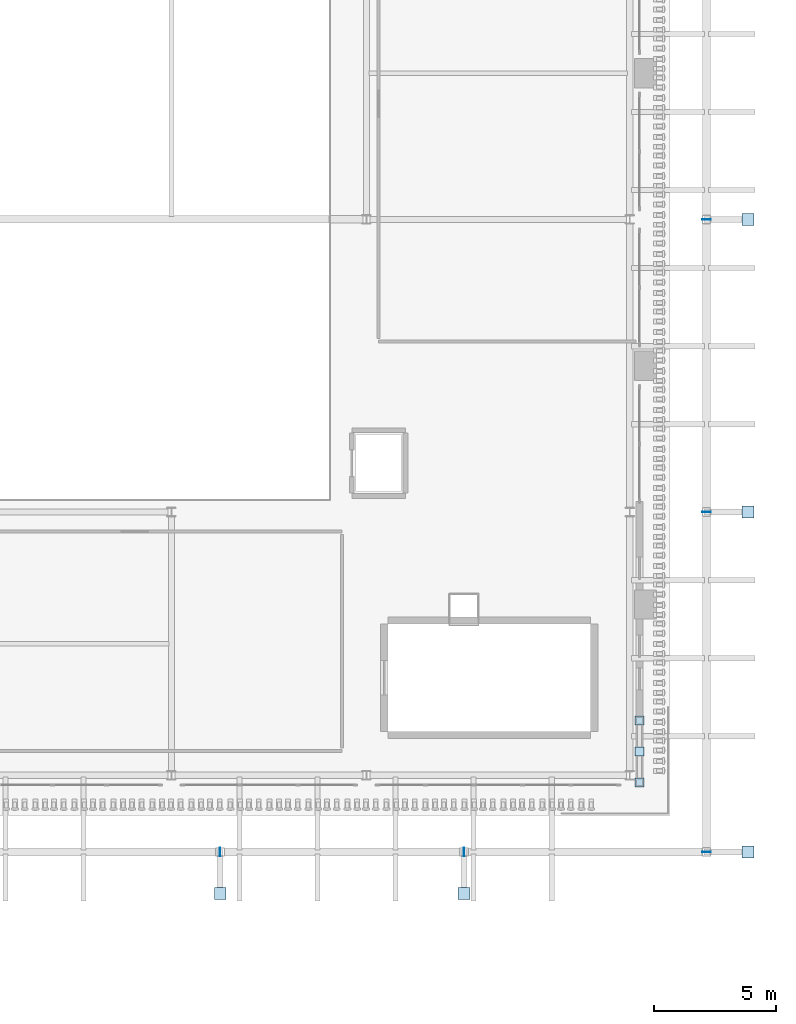
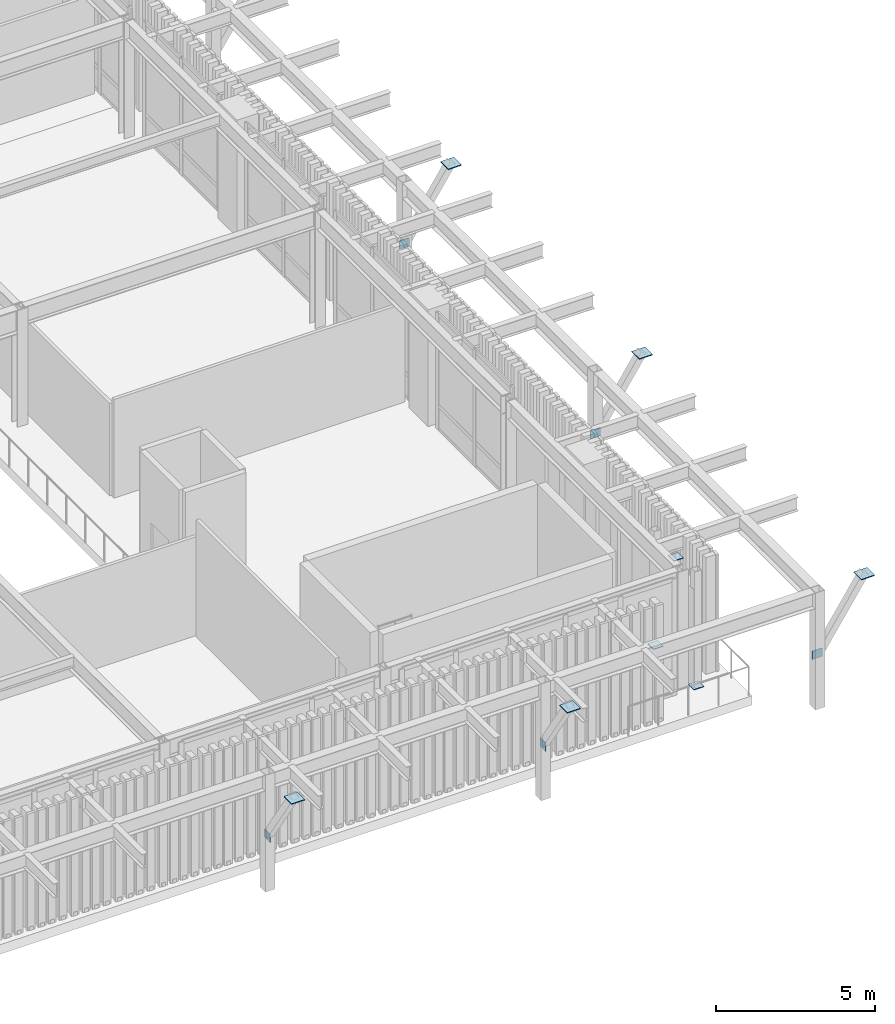
# One storey, part 83 of 126: 13 plates.
"""IFC4 building model written with IfcOpenShell, lengths in metres."""

import ifcopenshell
import ifcopenshell.guid

model = None  # the IFC model being written
_history = None  # IfcOwnerHistory: only IFC2X3 demands one
_inside = {}  # id of a spatial element -> (the spatial element, [elements in it])
_under = {}  # id of a project, library or spatial element -> (it, [spatial elements below it])
_declared = {}  # id of a project -> (the project, [libraries it declares])
_typed = {}  # id of a type object -> (the type object, [elements of that type])
_made_of = {}  # id of a material, layer set ... -> (it, [elements and type objects made of it])


def new_model(schema):
    """Start an empty IFC model of exactly this schema.

    Asked for "IFC4X3", IfcOpenShell would pick the latest addendum, in which some entities
    have other attributes; the version numbers below select the first issue.
    IFC2X3 requires an IfcOwnerHistory on every rooted entity: one is made here for all.
    """
    global model, _history
    if schema == "IFC4X3":
        model = ifcopenshell.file(schema_version=(4, 3, 0, 0))
    else:
        model = ifcopenshell.file(schema=schema)
    _inside.clear()
    _under.clear()
    _declared.clear()
    _typed.clear()
    _made_of.clear()
    _history = None
    if model.schema == "IFC2X3":
        org = make("IfcOrganization", Name="unknown")
        user = make(
            "IfcPersonAndOrganization",
            ThePerson=make("IfcPerson", FamilyName="unknown"),
            TheOrganization=org,
        )
        app = make(
            "IfcApplication",
            ApplicationDeveloper=org,
            Version="unknown",
            ApplicationFullName="unknown",
            ApplicationIdentifier="unknown",
        )
        _history = make(
            "IfcOwnerHistory",
            OwningUser=user,
            OwningApplication=app,
            ChangeAction="ADDED",
            CreationDate=0,
        )
    return model


def make(cls, **values):
    """One entity of the class cls with the attributes given. An attribute that is None is left unset."""
    return model.create_entity(
        cls, **{name: value for name, value in values.items() if value is not None}
    )


def rooted(cls, **values):
    """An entity with a GlobalId (a new one), such as an element, a storey or a relation."""
    return make(cls, GlobalId=ifcopenshell.guid.new(), OwnerHistory=_history, **values)


def si_unit(unit_type, name, prefix=None):
    """IfcSIUnit, for example si_unit("LENGTHUNIT", "METRE", prefix="MILLI")."""
    return make("IfcSIUnit", UnitType=unit_type, Prefix=prefix, Name=name)


def derived_unit(unit_type, elements):
    """IfcDerivedUnit: a product of units, each with its exponent."""
    return make(
        "IfcDerivedUnit",
        Elements=[
            make("IfcDerivedUnitElement", Unit=unit, Exponent=power)
            for unit, power in elements
        ],
        UnitType=unit_type,
    )


def assignment(units):
    """IfcUnitAssignment: the units of a project."""
    return None if units is None else make("IfcUnitAssignment", Units=units)


def point(xyz):
    """IfcCartesianPoint."""
    return None if xyz is None else make("IfcCartesianPoint", Coordinates=xyz)


def direction(xyz):
    """IfcDirection."""
    return None if xyz is None else make("IfcDirection", DirectionRatios=xyz)


def frame(location, z_axis=None, x_axis=None):
    """IfcAxis2Placement3D, a coordinate frame: its origin and axes. An axis left out is left unset."""
    return make(
        "IfcAxis2Placement3D",
        Location=point(location),
        Axis=direction(z_axis),
        RefDirection=direction(x_axis),
    )


def frame_2d(location, x_axis=None):
    """IfcAxis2Placement2D, a coordinate frame in the plane: its origin and x axis."""
    return make(
        "IfcAxis2Placement2D", Location=point(location), RefDirection=direction(x_axis)
    )


def origin():
    """The frame at (0, 0, 0) with its axes left unset."""
    return frame((0.0, 0.0, 0.0))


def origin_2d():
    """The frame at (0, 0) in the plane with its x axis left unset."""
    return frame_2d((0.0, 0.0))


def place(relative_to, where):
    """IfcLocalPlacement: puts the frame where relative to a parent placement (None: the world)."""
    return make(
        "IfcLocalPlacement", PlacementRelTo=relative_to, RelativePlacement=where
    )


def context(
    kind, dimensions, precision=None, world=None, true_north=None, identifier=None
):
    """IfcGeometricRepresentationContext, for example the 3D "Model" context."""
    return make(
        "IfcGeometricRepresentationContext",
        ContextIdentifier=identifier,
        ContextType=kind,
        CoordinateSpaceDimension=dimensions,
        Precision=precision,
        WorldCoordinateSystem=world,
        TrueNorth=true_north,
    )


def subcontext(parent, identifier, kind, view, scale=None):
    """IfcGeometricRepresentationSubContext, for example "Body" below "Model"."""
    return make(
        "IfcGeometricRepresentationSubContext",
        ContextIdentifier=identifier,
        ContextType=kind,
        ParentContext=parent,
        TargetScale=scale,
        TargetView=view,
    )


def project(units=None, contexts=None):
    """IfcProject with its units and contexts."""
    return rooted(
        "IfcProject",
        Name="project",
        RepresentationContexts=contexts,
        UnitsInContext=assignment(units),
    )


def spatial(cls, under=None, at=None, **own):
    """A site, building, storey or space (cls), placed at a placement, below another one or the project."""
    s = rooted(cls, ObjectPlacement=at, **own)
    if under is not None:
        _under.setdefault(under.id(), (under, []))[1].append(s)
    return s


def profile(cls, at=None, kind="AREA", **sizes):
    """A parametric profile (cls). Its sizes go by their IFC names, for example OverallWidth=200.0."""
    return make(cls, ProfileType=kind, Position=at, **sizes)


def rectangle(**sizes):
    """IfcRectangleProfileDef."""
    return profile("IfcRectangleProfileDef", **sizes)


def extrude(swept, where, along, depth):
    """IfcExtrudedAreaSolid: the profile swept, set in the frame where, extruded along a direction by depth."""
    return make(
        "IfcExtrudedAreaSolid",
        SweptArea=swept,
        Position=where,
        ExtrudedDirection=direction(along),
        Depth=depth,
    )


def shape(context_of_items, identifier, shape_type, items):
    """IfcShapeRepresentation: the items that make up one representation, for example the "Body"."""
    return make(
        "IfcShapeRepresentation",
        ContextOfItems=context_of_items,
        RepresentationIdentifier=identifier,
        RepresentationType=shape_type,
        Items=items,
    )


def material(Name=None, Category=None):
    """IfcMaterial."""
    return make("IfcMaterial", Name=Name, Category=Category)


def layer(
    of_material, thickness, ventilated=None, Name=None, Category=None, Priority=None
):
    """IfcMaterialLayer: one layer of a wall or slab, of a material (None: an air gap)."""
    return make(
        "IfcMaterialLayer",
        Material=of_material,
        LayerThickness=thickness,
        IsVentilated=ventilated,
        Name=Name,
        Category=Category,
        Priority=Priority,
    )


def layer_set(layers, Name=None):
    """IfcMaterialLayerSet."""
    return make("IfcMaterialLayerSet", MaterialLayers=layers, LayerSetName=Name)


def made_of(thing, what):
    """Note that an element or type object is made of a material, layer set ...; save() writes the relation."""
    if what is not None:
        _made_of.setdefault(what.id(), (what, []))[1].append(thing)
    return thing


def type_object(cls, material=None, **own):
    """A type object (cls), such as IfcWallType, which elements share."""
    return made_of(rooted(cls, **own), material)


def element(
    cls,
    number,
    at=None,
    inside=None,
    cuts=None,
    type_object=None,
    material=None,
    context=None,
    identifier="Body",
    shape_type=None,
    held_by="IfcProductDefinitionShape",
    body=None,
    shapes=None,
    **own,
):
    """One element of the class cls, such as IfcWall. Its Tag is "e" and its number.

    at: its placement. inside: the storey or other place that contains it. cuts: it is an
    opening in that element (IfcRelVoidsElement). A single representation is given by context,
    identifier, shape_type and body (its items); several are given by shapes. held_by: the class
    of the entity that holds the representations. save() writes the other relations.
    """
    e = rooted(cls, Tag="e%d" % number, ObjectPlacement=at, **own)
    if body is not None:
        shapes = [shape(context, identifier, shape_type, body)]
    if shapes is not None:
        e.Representation = make(held_by, Representations=shapes)
    if inside is not None:
        _inside.setdefault(inside.id(), (inside, []))[1].append(e)
    if cuts is not None:
        rooted(
            "IfcRelVoidsElement", RelatingBuildingElement=cuts, RelatedOpeningElement=e
        )
    if type_object is not None:
        _typed.setdefault(type_object.id(), (type_object, []))[1].append(e)
    return made_of(e, material)


def aggregate(whole, parts):
    """IfcRelAggregates: a whole, such as a stair, and the parts it consists of."""
    return rooted("IfcRelAggregates", RelatingObject=whole, RelatedObjects=parts)


def save(model, path):
    """Write the relations noted so far, then the file.

    IfcRelAggregates (storeys below a building ...), IfcRelContainedInSpatialStructure (elements
    in a storey), IfcRelDefinesByType, IfcRelAssociatesMaterial and IfcRelDeclares: one each for
    every whole, place, type object, material and project.
    """
    for whole, parts in _under.values():
        aggregate(whole, parts)
    for where, things in _inside.values():
        rooted(
            "IfcRelContainedInSpatialStructure",
            RelatedElements=things,
            RelatingStructure=where,
        )
    for kind, things in _typed.values():
        rooted("IfcRelDefinesByType", RelatedObjects=things, RelatingType=kind)
    for what, things in _made_of.values():
        rooted("IfcRelAssociatesMaterial", RelatedObjects=things, RelatingMaterial=what)
    for by, libraries in _declared.values():
        rooted("IfcRelDeclares", RelatingContext=by, RelatedDefinitions=libraries)
    model.write(path)


model = new_model("IFC4")

# Units and contexts
model_context = context("Model", 3, precision=1e-05, world=origin(), true_north=direction((0.0, 1.0)))
body_context = subcontext(model_context, "Body", "Model", "MODEL_VIEW")
ifc_project = project(units=[si_unit("LENGTHUNIT", "METRE"), si_unit("AREAUNIT", "SQUARE_METRE"), si_unit("VOLUMEUNIT", "CUBIC_METRE"), si_unit("PLANEANGLEUNIT", "RADIAN"), si_unit("MASSUNIT", "GRAM", prefix="KILO"), derived_unit("THERMALTRANSMITTANCEUNIT", [(si_unit("MASSUNIT", "GRAM", prefix="KILO"), 1), (si_unit("TIMEUNIT", "SECOND"), -3), (si_unit("THERMODYNAMICTEMPERATUREUNIT", "KELVIN"), -1)])], contexts=[model_context])

# Site, building, storey
site_placement = place(None, origin())
site = spatial("IfcSite", under=ifc_project, at=site_placement, CompositionType="ELEMENT")
building_placement = place(site_placement, origin())
building = spatial("IfcBuilding", under=site, at=building_placement, Name="Valcora Ridge Arena", CompositionType="ELEMENT")
storey_placement = place(building_placement, frame((0.0, 0.0, 11.39990234375)))
storey = spatial("IfcBuildingStorey", under=building, at=storey_placement, Name="L02", CompositionType="ELEMENT", Elevation=11.39990234375)

# Plates
ifc_material = material(Name="Steel ASTM A572 Grade 50", Category="steel")
ifc_layer_1 = layer(ifc_material, 0.031982421875, Name="Steel ASTM A572 Grade 50")
ifc_layer_set_1 = layer_set([ifc_layer_1], Name="Steel ASTM A572 Grade 50")
plate_type_1 = type_object("IfcPlateType", Name="TY-PLATE-PL-CAP-450", PredefinedType="USERDEFINED", material=ifc_layer_set_1)
for number, where, z_axis, x_axis, name in (
    (1, (191.64990234375, 2.050048828125, 4.4482421875), (0.0, 0.0, 1.0), (1.0, 0.0, 0.0), "PL-CAP-450 KB-GP-0002"),
    (2, (191.64990234375, 16.0, 4.4482421875), (0.0, 0.0, 1.0), (1.0, 0.0, 0.0), "PL-CAP-450 KB-GP-0004"),
    (3, (191.64990234375, 28.0, 4.4482421875), (0.0, 0.0, 1.0), (1.0, 0.0, 0.0), "PL-CAP-450 KB-GP-0006"),
    (4, (170.0, 0.35009765625, 4.4482421875), (0.0, 0.0, 1.0), (1.0, 0.0, 0.0), "PL-CAP-450 KB-GP-0017"),
    (5, (180.0, 0.35009765625, 4.4482421875), (0.0, 0.0, 1.0), (1.0, 0.0, 0.0), "PL-CAP-450 KB-GP-0018"),
):
    element("IfcPlate", number, at=place(storey_placement, frame(where, z_axis=z_axis, x_axis=x_axis)), inside=storey, type_object=plate_type_1, Name=name, ObjectType="GUSSET_PLATE", PredefinedType="USERDEFINED", context=body_context, shape_type="SweptSolid", body=[
        extrude(rectangle(XDim=0.47998046875, YDim=0.47998046875, at=origin_2d()), origin(), (0.0, 0.0, 1.0), 0.031982421875),
    ])
ifc_layer_2 = layer(ifc_material, 0.02490234375, Name="Steel ASTM A572 Grade 50")
ifc_layer_set_2 = layer_set([ifc_layer_2], Name="Steel ASTM A572 Grade 50")
plate_type_2 = type_object("IfcPlateType", Name="TY-PLATE-PL-GUS-25", PredefinedType="USERDEFINED", material=ifc_layer_set_2)
for number, where, z_axis, x_axis, name in (
    (6, (187.199951171875, 4.89990234375, 0.000244140625), (0.0, 0.0, 1.0), (1.0, 0.0, 0.0), "PL-GUS-25 BR-GP-0007"),
    (7, (187.199951171875, 7.449951171875, 0.000244140625), (0.0, 0.0, 1.0), (1.0, 0.0, 0.0), "PL-GUS-25 BR-GP-0008"),
    (8, (187.199951171875, 6.175048828125, 4.16015625), (0.0, 0.0, 1.0), (1.0, 0.0, 0.0), "PL-GUS-25 BR-GP-0009"),
):
    element("IfcPlate", number, at=place(storey_placement, frame(where, z_axis=z_axis, x_axis=x_axis)), inside=storey, type_object=plate_type_2, Name=name, ObjectType="GUSSET_PLATE", PredefinedType="USERDEFINED", context=body_context, shape_type="SweptSolid", body=[
        extrude(rectangle(XDim=0.360107421875, YDim=0.360107421875, at=origin_2d()), origin(), (0.0, 0.0, 1.0), 0.02490234375),
    ])
ifc_layer_3 = layer(ifc_material, 0.02490234375, Name="Steel ASTM A572 Grade 50")
ifc_layer_set_3 = layer_set([ifc_layer_3], Name="Steel ASTM A572 Grade 50")
plate_type_3 = type_object("IfcPlateType", Name="TY-PLATE-PL-GUS-25E", PredefinedType="USERDEFINED", material=ifc_layer_set_3)
for number, where, z_axis, x_axis, name in (
    (9, (189.949951171875, 2.050048828125, 1.83984375), (0.0, 0.0, 1.0), (1.0, 0.0, 0.0), "PL-GUS-25E KB-GP-0020"),
    (10, (189.949951171875, 16.0, 1.83984375), (0.0, 0.0, 1.0), (1.0, 0.0, 0.0), "PL-GUS-25E KB-GP-0022"),
    (11, (189.949951171875, 28.0, 1.83984375), (0.0, 0.0, 1.0), (1.0, 0.0, 0.0), "PL-GUS-25E KB-GP-0024"),
):
    element("IfcPlate", number, at=place(storey_placement, frame(where, z_axis=z_axis, x_axis=x_axis)), inside=storey, type_object=plate_type_3, Name=name, ObjectType="GUSSET_PLATE", PredefinedType="USERDEFINED", context=body_context, shape_type="SweptSolid", body=[
        extrude(rectangle(XDim=0.360107421875, YDim=0.02490234375, at=origin_2d()), origin(), (0.0, 0.0, 1.0), 0.320068359375),
    ])
for number, where, z_axis, x_axis, name in (
    (12, (170.0, 2.050048828125, 1.83984375), (0.0, 0.0, 1.0), (1.0, 0.0, 0.0), "PL-GUS-25E KB-GP-0035"),
    (13, (180.0, 2.050048828125, 1.83984375), (0.0, 0.0, 1.0), (1.0, 0.0, 0.0), "PL-GUS-25E KB-GP-0036"),
):
    element("IfcPlate", number, at=place(storey_placement, frame(where, z_axis=z_axis, x_axis=x_axis)), inside=storey, type_object=plate_type_3, Name=name, ObjectType="GUSSET_PLATE", PredefinedType="USERDEFINED", context=body_context, shape_type="SweptSolid", body=[
        extrude(rectangle(XDim=0.02490234375, YDim=0.360107421875, at=origin_2d()), origin(), (0.0, 0.0, 1.0), 0.320068359375),
    ])

save(model, "model.ifc")
